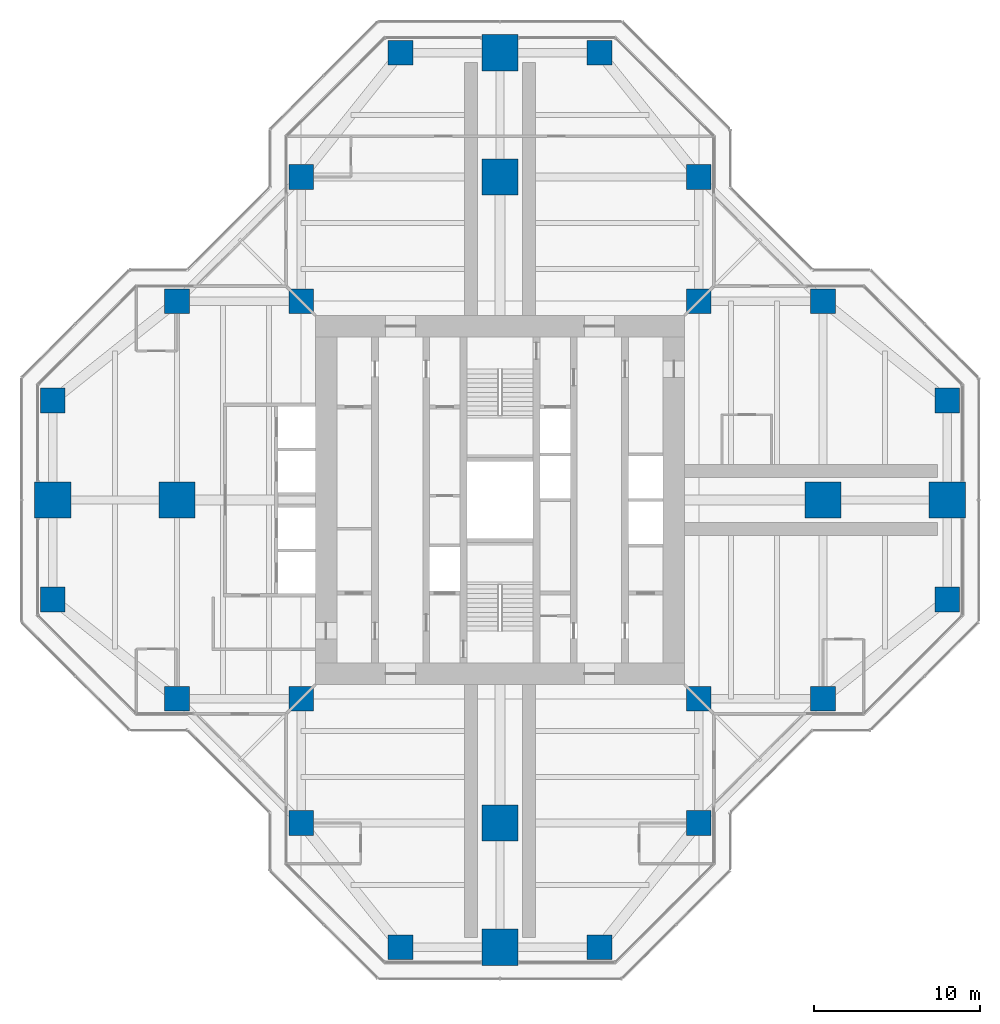
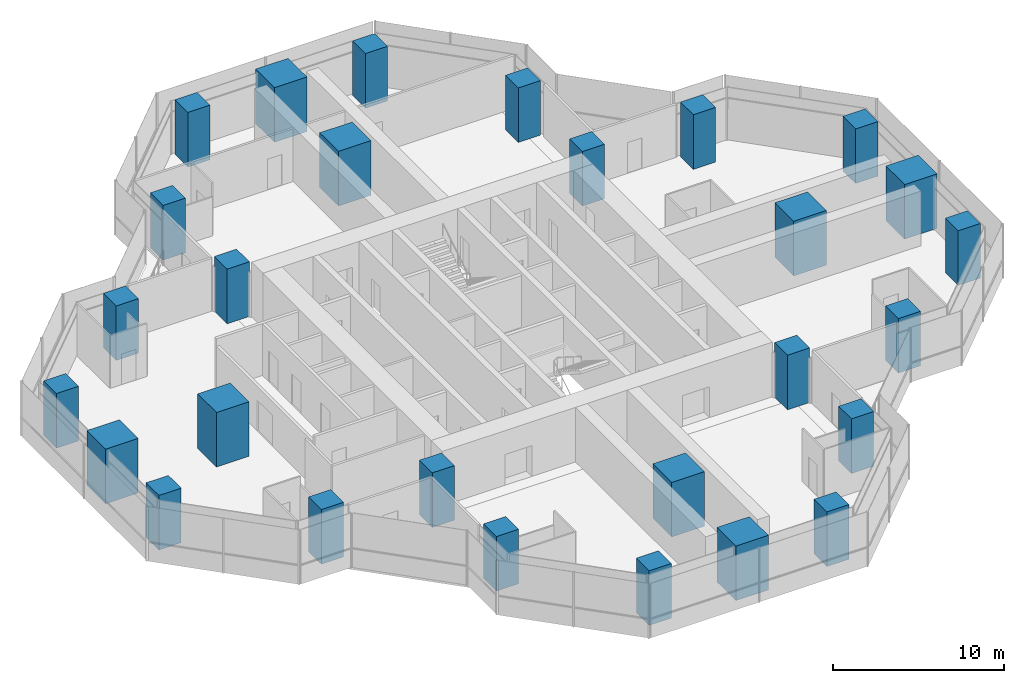
# One storey, part 1 of 17: 28 columns.
"""IFC4 building model written with IfcOpenShell, lengths in metres."""

import ifcopenshell
import ifcopenshell.guid

model = None  # the IFC model being written
_history = None  # IfcOwnerHistory: only IFC2X3 demands one
_inside = {}  # id of a spatial element -> (the spatial element, [elements in it])
_under = {}  # id of a project, library or spatial element -> (it, [spatial elements below it])
_declared = {}  # id of a project -> (the project, [libraries it declares])
_typed = {}  # id of a type object -> (the type object, [elements of that type])
_made_of = {}  # id of a material, layer set ... -> (it, [elements and type objects made of it])


def new_model(schema):
    """Start an empty IFC model of exactly this schema.

    Asked for "IFC4X3", IfcOpenShell would pick the latest addendum, in which some entities
    have other attributes; the version numbers below select the first issue.
    IFC2X3 requires an IfcOwnerHistory on every rooted entity: one is made here for all.
    """
    global model, _history
    if schema == "IFC4X3":
        model = ifcopenshell.file(schema_version=(4, 3, 0, 0))
    else:
        model = ifcopenshell.file(schema=schema)
    _inside.clear()
    _under.clear()
    _declared.clear()
    _typed.clear()
    _made_of.clear()
    _history = None
    if model.schema == "IFC2X3":
        org = make("IfcOrganization", Name="unknown")
        user = make(
            "IfcPersonAndOrganization",
            ThePerson=make("IfcPerson", FamilyName="unknown"),
            TheOrganization=org,
        )
        app = make(
            "IfcApplication",
            ApplicationDeveloper=org,
            Version="unknown",
            ApplicationFullName="unknown",
            ApplicationIdentifier="unknown",
        )
        _history = make(
            "IfcOwnerHistory",
            OwningUser=user,
            OwningApplication=app,
            ChangeAction="ADDED",
            CreationDate=0,
        )
    return model


def make(cls, **values):
    """One entity of the class cls with the attributes given. An attribute that is None is left unset."""
    return model.create_entity(
        cls, **{name: value for name, value in values.items() if value is not None}
    )


def rooted(cls, **values):
    """An entity with a GlobalId (a new one), such as an element, a storey or a relation."""
    return make(cls, GlobalId=ifcopenshell.guid.new(), OwnerHistory=_history, **values)


def si_unit(unit_type, name, prefix=None):
    """IfcSIUnit, for example si_unit("LENGTHUNIT", "METRE", prefix="MILLI")."""
    return make("IfcSIUnit", UnitType=unit_type, Prefix=prefix, Name=name)


def assignment(units):
    """IfcUnitAssignment: the units of a project."""
    return None if units is None else make("IfcUnitAssignment", Units=units)


def point(xyz):
    """IfcCartesianPoint."""
    return None if xyz is None else make("IfcCartesianPoint", Coordinates=xyz)


def direction(xyz):
    """IfcDirection."""
    return None if xyz is None else make("IfcDirection", DirectionRatios=xyz)


def frame(location, z_axis=None, x_axis=None):
    """IfcAxis2Placement3D, a coordinate frame: its origin and axes. An axis left out is left unset."""
    return make(
        "IfcAxis2Placement3D",
        Location=point(location),
        Axis=direction(z_axis),
        RefDirection=direction(x_axis),
    )


def frame_2d(location, x_axis=None):
    """IfcAxis2Placement2D, a coordinate frame in the plane: its origin and x axis."""
    return make(
        "IfcAxis2Placement2D", Location=point(location), RefDirection=direction(x_axis)
    )


def origin():
    """The frame at (0, 0, 0) with its axes left unset."""
    return frame((0.0, 0.0, 0.0))


def origin_2d():
    """The frame at (0, 0) in the plane with its x axis left unset."""
    return frame_2d((0.0, 0.0))


def place(relative_to, where):
    """IfcLocalPlacement: puts the frame where relative to a parent placement (None: the world)."""
    return make(
        "IfcLocalPlacement", PlacementRelTo=relative_to, RelativePlacement=where
    )


def context(
    kind, dimensions, precision=None, world=None, true_north=None, identifier=None
):
    """IfcGeometricRepresentationContext, for example the 3D "Model" context."""
    return make(
        "IfcGeometricRepresentationContext",
        ContextIdentifier=identifier,
        ContextType=kind,
        CoordinateSpaceDimension=dimensions,
        Precision=precision,
        WorldCoordinateSystem=world,
        TrueNorth=true_north,
    )


def subcontext(parent, identifier, kind, view, scale=None):
    """IfcGeometricRepresentationSubContext, for example "Body" below "Model"."""
    return make(
        "IfcGeometricRepresentationSubContext",
        ContextIdentifier=identifier,
        ContextType=kind,
        ParentContext=parent,
        TargetScale=scale,
        TargetView=view,
    )


def project(units=None, contexts=None):
    """IfcProject with its units and contexts."""
    return rooted(
        "IfcProject",
        Name="project",
        RepresentationContexts=contexts,
        UnitsInContext=assignment(units),
    )


def spatial(cls, under=None, at=None, **own):
    """A site, building, storey or space (cls), placed at a placement, below another one or the project."""
    s = rooted(cls, ObjectPlacement=at, **own)
    if under is not None:
        _under.setdefault(under.id(), (under, []))[1].append(s)
    return s


def profile(cls, at=None, kind="AREA", **sizes):
    """A parametric profile (cls). Its sizes go by their IFC names, for example OverallWidth=200.0."""
    return make(cls, ProfileType=kind, Position=at, **sizes)


def rectangle(**sizes):
    """IfcRectangleProfileDef."""
    return profile("IfcRectangleProfileDef", **sizes)


def extrude(swept, where, along, depth):
    """IfcExtrudedAreaSolid: the profile swept, set in the frame where, extruded along a direction by depth."""
    return make(
        "IfcExtrudedAreaSolid",
        SweptArea=swept,
        Position=where,
        ExtrudedDirection=direction(along),
        Depth=depth,
    )


def shape(context_of_items, identifier, shape_type, items):
    """IfcShapeRepresentation: the items that make up one representation, for example the "Body"."""
    return make(
        "IfcShapeRepresentation",
        ContextOfItems=context_of_items,
        RepresentationIdentifier=identifier,
        RepresentationType=shape_type,
        Items=items,
    )


def material(Name=None, Category=None):
    """IfcMaterial."""
    return make("IfcMaterial", Name=Name, Category=Category)


def material_profile(
    of_material, cross_section, Name=None, Category=None, Priority=None
):
    """IfcMaterialProfile: a cross section and its material."""
    return make(
        "IfcMaterialProfile",
        Name=Name,
        Material=of_material,
        Profile=cross_section,
        Priority=Priority,
        Category=Category,
    )


def profile_set(profiles, Name=None, composite=None):
    """IfcMaterialProfileSet."""
    return make(
        "IfcMaterialProfileSet",
        Name=Name,
        MaterialProfiles=profiles,
        CompositeProfile=composite,
    )


def made_of(thing, what):
    """Note that an element or type object is made of a material, layer set ...; save() writes the relation."""
    if what is not None:
        _made_of.setdefault(what.id(), (what, []))[1].append(thing)
    return thing


def type_object(cls, material=None, **own):
    """A type object (cls), such as IfcWallType, which elements share."""
    return made_of(rooted(cls, **own), material)


def element(
    cls,
    number,
    at=None,
    inside=None,
    cuts=None,
    type_object=None,
    material=None,
    context=None,
    identifier="Body",
    shape_type=None,
    held_by="IfcProductDefinitionShape",
    body=None,
    shapes=None,
    **own,
):
    """One element of the class cls, such as IfcWall. Its Tag is "e" and its number.

    at: its placement. inside: the storey or other place that contains it. cuts: it is an
    opening in that element (IfcRelVoidsElement). A single representation is given by context,
    identifier, shape_type and body (its items); several are given by shapes. held_by: the class
    of the entity that holds the representations. save() writes the other relations.
    """
    e = rooted(cls, Tag="e%d" % number, ObjectPlacement=at, **own)
    if body is not None:
        shapes = [shape(context, identifier, shape_type, body)]
    if shapes is not None:
        e.Representation = make(held_by, Representations=shapes)
    if inside is not None:
        _inside.setdefault(inside.id(), (inside, []))[1].append(e)
    if cuts is not None:
        rooted(
            "IfcRelVoidsElement", RelatingBuildingElement=cuts, RelatedOpeningElement=e
        )
    if type_object is not None:
        _typed.setdefault(type_object.id(), (type_object, []))[1].append(e)
    return made_of(e, material)


def aggregate(whole, parts):
    """IfcRelAggregates: a whole, such as a stair, and the parts it consists of."""
    return rooted("IfcRelAggregates", RelatingObject=whole, RelatedObjects=parts)


def save(model, path):
    """Write the relations noted so far, then the file.

    IfcRelAggregates (storeys below a building ...), IfcRelContainedInSpatialStructure (elements
    in a storey), IfcRelDefinesByType, IfcRelAssociatesMaterial and IfcRelDeclares: one each for
    every whole, place, type object, material and project.
    """
    for whole, parts in _under.values():
        aggregate(whole, parts)
    for where, things in _inside.values():
        rooted(
            "IfcRelContainedInSpatialStructure",
            RelatedElements=things,
            RelatingStructure=where,
        )
    for kind, things in _typed.values():
        rooted("IfcRelDefinesByType", RelatedObjects=things, RelatingType=kind)
    for what, things in _made_of.values():
        rooted("IfcRelAssociatesMaterial", RelatedObjects=things, RelatingMaterial=what)
    for by, libraries in _declared.values():
        rooted("IfcRelDeclares", RelatingContext=by, RelatedDefinitions=libraries)
    model.write(path)


model = new_model("IFC4")

# Units and contexts
model_context = context("Model", 3, precision=1e-05, world=origin(), true_north=direction((0.0, 1.0)))
body_context = subcontext(model_context, "Body", "Model", "MODEL_VIEW")
ifc_project = project(units=[si_unit("LENGTHUNIT", "METRE"), si_unit("AREAUNIT", "SQUARE_METRE"), si_unit("VOLUMEUNIT", "CUBIC_METRE"), si_unit("PLANEANGLEUNIT", "RADIAN"), si_unit("MASSUNIT", "GRAM", prefix="KILO")], contexts=[model_context])

# Site, building, storey
site_placement = place(None, origin())
site = spatial("IfcSite", under=ifc_project, at=site_placement, CompositionType="ELEMENT")
building_placement = place(site_placement, origin())
building = spatial("IfcBuilding", under=site, at=building_placement, Name="Mizan Broadcast Tower", CompositionType="ELEMENT")
storey_placement = place(building_placement, frame((0.0, 0.0, 259.5)))
storey = spatial("IfcBuildingStorey", under=building, at=storey_placement, Name="L61", CompositionType="ELEMENT", Elevation=259.5)

# Columns
ifc_material_1 = material(Name="Concrete C70/85", Category="concrete")
ifc_material_profile_1 = material_profile(ifc_material_1, rectangle(XDim=1.5, YDim=1.5, at=origin_2d()), Name="RC 1500x1500")
ifc_profile_set_1 = profile_set([ifc_material_profile_1], Name="Concrete C70/85")
column_type_1 = type_object("IfcColumnType", Name="RC COLUMN 1500x1500 C70/85", PredefinedType="COLUMN", material=ifc_profile_set_1)
for number, where, z_axis, x_axis, name in (
    (1, (-6.0, -27.0, 0.0), (0.0, 0.0, 1.0), (1.0, 0.0, 0.0), "Column 5/B L61"),
    (2, (6.0, -27.0, 0.0), (0.0, 0.0, 1.0), (1.0, 0.0, 0.0), "Column 7/B L61"),
    (3, (-12.0, -19.5, 0.0), (0.0, 0.0, 1.0), (1.0, 0.0, 0.0), "Column 4/C L61"),
    (4, (12.0, -19.5, 0.0), (0.0, 0.0, 1.0), (1.0, 0.0, 0.0), "Column 8/C L61"),
    (5, (-19.5, -12.0, 0.0), (0.0, 0.0, 1.0), (1.0, 0.0, 0.0), "Column 3/D L61"),
    (6, (-12.0, -12.0, 0.0), (0.0, 0.0, 1.0), (1.0, 0.0, 0.0), "Column 4/D L61"),
    (7, (12.0, -12.0, 0.0), (0.0, 0.0, 1.0), (1.0, 0.0, 0.0), "Column 8/D L61"),
    (8, (19.5, -12.0, 0.0), (0.0, 0.0, 1.0), (1.0, 0.0, 0.0), "Column 9/D L61"),
    (9, (-27.0, -6.0, 0.0), (0.0, 0.0, 1.0), (1.0, 0.0, 0.0), "Column 2/E L61"),
    (10, (27.0, -6.0, 0.0), (0.0, 0.0, 1.0), (1.0, 0.0, 0.0), "Column 10/E L61"),
    (11, (-27.0, 6.0, 0.0), (0.0, 0.0, 1.0), (1.0, 0.0, 0.0), "Column 2/G L61"),
    (12, (27.0, 6.0, 0.0), (0.0, 0.0, 1.0), (1.0, 0.0, 0.0), "Column 10/G L61"),
    (13, (-19.5, 12.0, 0.0), (0.0, 0.0, 1.0), (1.0, 0.0, 0.0), "Column 3/H L61"),
    (14, (-12.0, 12.0, 0.0), (0.0, 0.0, 1.0), (1.0, 0.0, 0.0), "Column 4/H L61"),
    (15, (12.0, 12.0, 0.0), (0.0, 0.0, 1.0), (1.0, 0.0, 0.0), "Column 8/H L61"),
    (16, (19.5, 12.0, 0.0), (0.0, 0.0, 1.0), (1.0, 0.0, 0.0), "Column 9/H L61"),
    (17, (-12.0, 19.5, 0.0), (0.0, 0.0, 1.0), (1.0, 0.0, 0.0), "Column 4/J L61"),
    (18, (12.0, 19.5, 0.0), (0.0, 0.0, 1.0), (1.0, 0.0, 0.0), "Column 8/J L61"),
    (19, (-6.0, 27.0, 0.0), (0.0, 0.0, 1.0), (1.0, 0.0, 0.0), "Column 5/K L61"),
    (20, (6.0, 27.0, 0.0), (0.0, 0.0, 1.0), (1.0, 0.0, 0.0), "Column 7/K L61"),
):
    element("IfcColumn", number, at=place(storey_placement, frame(where, z_axis=z_axis, x_axis=x_axis)), inside=storey, type_object=column_type_1, Name=name, PredefinedType="COLUMN", context=body_context, shape_type="SweptSolid", body=[
        extrude(rectangle(XDim=1.5, YDim=1.5, at=origin_2d()), origin(), (0.0, 0.0, 1.0), 3.89990234375),
    ])
ifc_material_2 = material(Name="Concrete C70/85", Category="concrete")
ifc_material_profile_2 = material_profile(ifc_material_2, rectangle(XDim=2.199951171875, YDim=2.199951171875, at=origin_2d()), Name="RC 2200x2200")
ifc_profile_set_2 = profile_set([ifc_material_profile_2], Name="Concrete C70/85")
column_type_2 = type_object("IfcColumnType", Name="RC COLUMN 2200x2200 C70/85", PredefinedType="COLUMN", material=ifc_profile_set_2)
for number, where, z_axis, x_axis, name in (
    (21, (0.0, -27.0, 0.0), (0.0, 0.0, 1.0), (1.0, 0.0, 0.0), "Column 6/B L61"),
    (22, (0.0, -19.5, 0.0), (0.0, 0.0, 1.0), (1.0, 0.0, 0.0), "Column 6/C L61"),
    (23, (-27.0, 0.0, 0.0), (0.0, 0.0, 1.0), (1.0, 0.0, 0.0), "Column 2/F L61"),
    (24, (-19.5, 0.0, 0.0), (0.0, 0.0, 1.0), (1.0, 0.0, 0.0), "Column 3/F L61"),
    (25, (19.5, 0.0, 0.0), (0.0, 0.0, 1.0), (1.0, 0.0, 0.0), "Column 9/F L61"),
    (26, (27.0, 0.0, 0.0), (0.0, 0.0, 1.0), (1.0, 0.0, 0.0), "Column 10/F L61"),
    (27, (0.0, 19.5, 0.0), (0.0, 0.0, 1.0), (1.0, 0.0, 0.0), "Column 6/J L61"),
    (28, (0.0, 27.0, 0.0), (0.0, 0.0, 1.0), (1.0, 0.0, 0.0), "Column 6/K L61"),
):
    element("IfcColumn", number, at=place(storey_placement, frame(where, z_axis=z_axis, x_axis=x_axis)), inside=storey, type_object=column_type_2, Name=name, PredefinedType="COLUMN", context=body_context, shape_type="SweptSolid", body=[
        extrude(rectangle(XDim=2.199951171875, YDim=2.199951171875, at=origin_2d()), origin(), (0.0, 0.0, 1.0), 3.89990234375),
    ])

save(model, "model.ifc")
